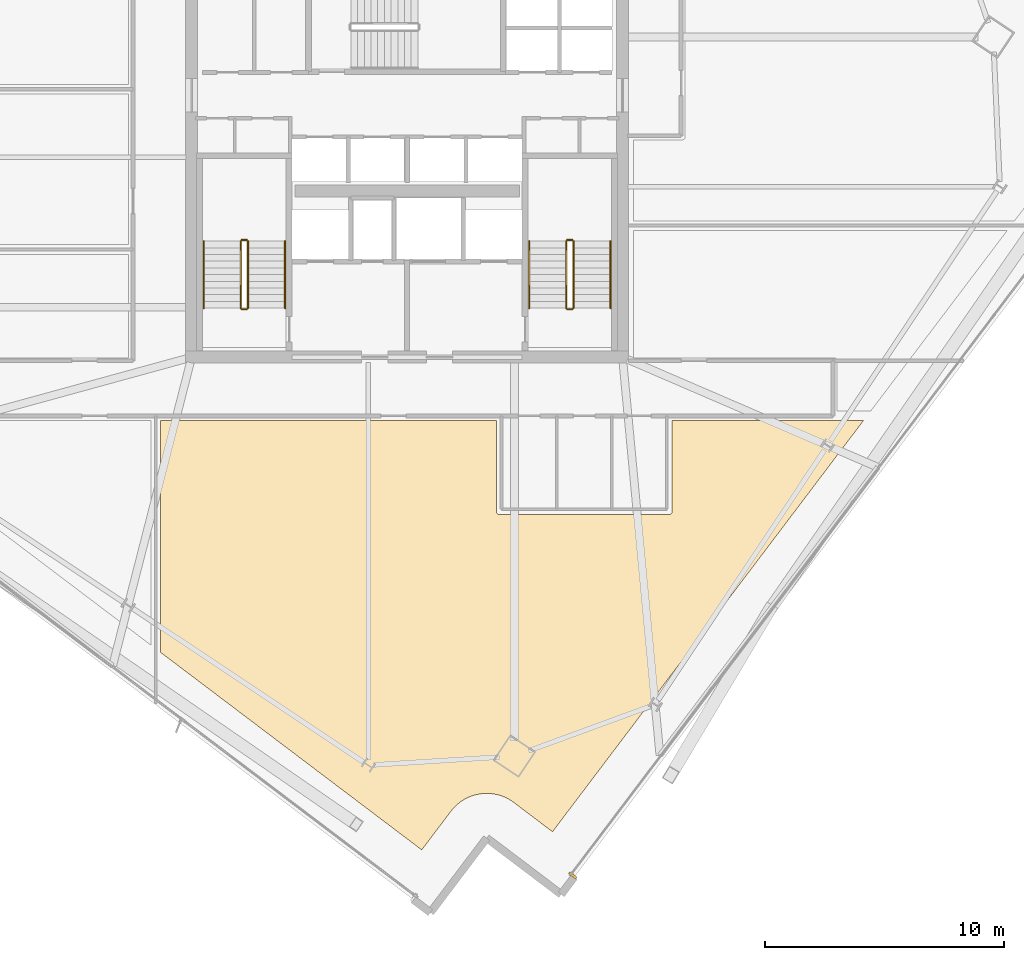
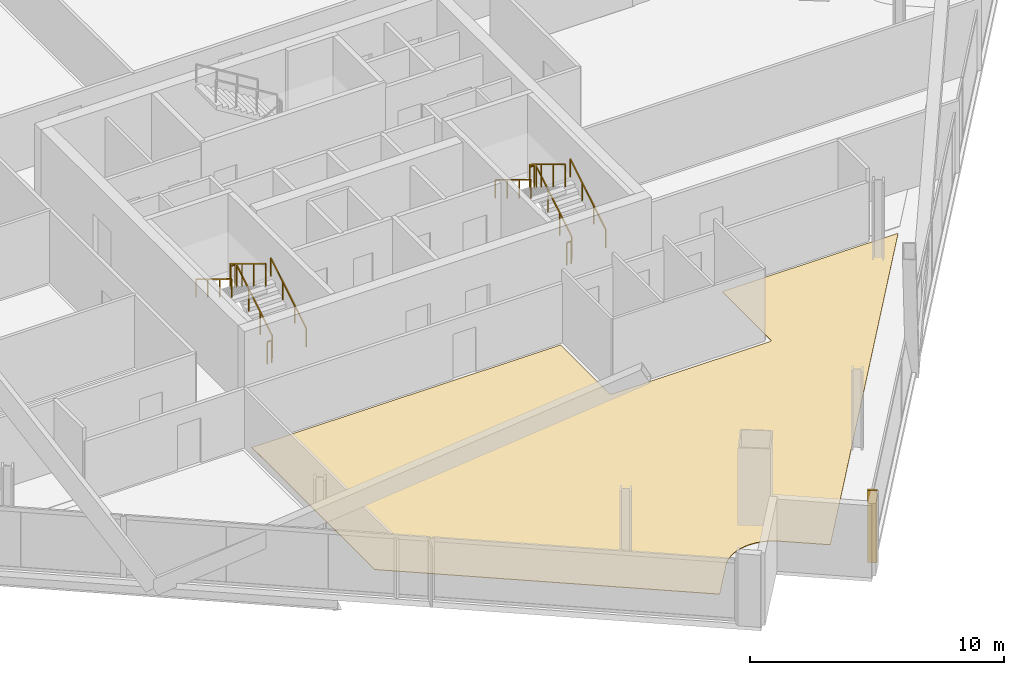
# One storey, part 31 of 34: 12 railings, 2 coverings.
"""IFC4 building model written with IfcOpenShell, lengths in metres."""

from ifc_helpers import new_model, si_unit, direction, frame, origin, origin_2d, place, context, subcontext, project, spatial, polyline, rectangle, outline, extrude, source, transform, mapped, material, layer, layer_set, type_object, element, save


model = new_model("IFC4")

# Units and contexts
model_context = context("Model", 3, precision=1e-05, world=origin(), true_north=direction((0.0, 1.0)))
body_context = subcontext(model_context, "Body", "Model", "MODEL_VIEW")
ifc_project = project(units=[si_unit("LENGTHUNIT", "METRE"), si_unit("AREAUNIT", "SQUARE_METRE"), si_unit("VOLUMEUNIT", "CUBIC_METRE"), si_unit("PLANEANGLEUNIT", "RADIAN"), si_unit("MASSUNIT", "GRAM", prefix="KILO")], contexts=[model_context])

# Site, building, storey
site_placement = place(None, origin())
site = spatial("IfcSite", under=ifc_project, at=site_placement, CompositionType="ELEMENT")
building_placement = place(site_placement, origin())
building = spatial("IfcBuilding", under=site, at=building_placement, Name="Haldenkirk Collegiate Tower", CompositionType="ELEMENT")
storey_placement = place(building_placement, frame((0.0, 0.0, 205.949951171875)))
storey = spatial("IfcBuildingStorey", under=building, at=storey_placement, Name="L51", CompositionType="ELEMENT", Elevation=205.949951171875)

# Covering
ifc_material_1 = material(Name="Polished collegiate terrazzo", Category="concrete")
ifc_layer_1 = layer(ifc_material_1, 0.02490234375)
ifc_layer_set_1 = layer_set([ifc_layer_1], Name="Polished collegiate terrazzo")
covering_type_1 = type_object("IfcCoveringType", Name="COV-FLOOR-TERRAZZO", PredefinedType="FLOORING", material=ifc_layer_set_1)
covering_1_placement = place(storey_placement, origin())
element("IfcCovering", 1, at=covering_1_placement, inside=storey, type_object=covering_type_1, Name="L51 academic room finish 02", PredefinedType="FLOORING", context=body_context, shape_type="SweptSolid", body=[
    extrude(outline(polyline([(39.80419921875, -0.28564453125), (39.792724609375, -0.28271484375), (39.624755859375, -0.24755859375), (39.613037109375, -0.24560546875), (39.4423828125, -0.227294921875), (39.4306640625, -0.2265625), (39.2587890625, -0.22509765625), (39.2470703125, -0.2255859375), (39.076171875, -0.24072265625), (39.064453125, -0.2421875), (38.8955078125, -0.274169921875), (38.884033203125, -0.27685546875), (38.71923828125, -0.3251953125), (38.708251953125, -0.3291015625), (38.548828125, -0.393310546875), (38.5380859375, -0.398193359375), (38.385986328125, -0.477783203125), (38.3759765625, -0.48388671875), (38.232177734375, -0.577880859375), (38.22265625, -0.584716796875), (38.0888671875, -0.6923828125), (38.080078125, -0.7001953125), (37.95751953125, -0.820556640625), (37.94970703125, -0.829345703125), (37.83935546875, -0.9609375), (37.835693359375, -0.965576171875), (36.611083984375, -2.584716796875), (25.699951171875, 5.66748046875), (25.699951171875, 15.35009765625), (39.72998046875, 15.35009765625), (39.72998046875, 11.550048828125), (39.730712890625, 11.5380859375), (39.732421875, 11.526611328125), (39.735107421875, 11.51513671875), (39.739013671875, 11.504150390625), (39.744140625, 11.493408203125), (39.750244140625, 11.4833984375), (39.757080078125, 11.473876953125), (39.76513671875, 11.465087890625), (39.77392578125, 11.457275390625), (39.783203125, 11.4501953125), (39.79345703125, 11.444091796875), (39.80419921875, 11.439208984375), (39.815185546875, 11.435302734375), (39.82666015625, 11.432373046875), (39.838134765625, 11.4306640625), (39.85009765625, 11.429931640625), (46.949951171875, 11.429931640625), (46.9619140625, 11.4306640625), (46.973388671875, 11.432373046875), (46.98486328125, 11.435302734375), (46.995849609375, 11.439208984375), (47.006591796875, 11.444091796875), (47.0166015625, 11.4501953125), (47.026123046875, 11.457275390625), (47.034912109375, 11.465087890625), (47.042724609375, 11.473876953125), (47.0498046875, 11.4833984375), (47.055908203125, 11.493408203125), (47.060791015625, 11.504150390625), (47.064697265625, 11.51513671875), (47.067626953125, 11.526611328125), (47.0693359375, 11.5380859375), (47.070068359375, 11.550048828125), (47.070068359375, 15.35009765625), (55.06494140625, 15.35009765625), (42.07421875, -1.82666015625), (40.455078125, -0.60205078125), (40.450439453125, -0.5986328125), (40.30859375, -0.501953125), (40.298583984375, -0.495849609375), (40.147705078125, -0.413330078125), (40.13720703125, -0.408203125), (39.979248046875, -0.341064453125), (39.968017578125, -0.3369140625), (39.80419921875, -0.28564453125)])), origin(), (0.0, 0.0, 1.0), 0.025146484375),
])

# Railings
ifc_material_2 = material(Name="Painted architectural tubular steel", Category="steel")
railing_type_1 = type_object("IfcRailingType", Name="RLG-STAIR-GUARD-1100", PredefinedType="BALUSTRADE", material=ifc_material_2)
railing_1_placement = place(storey_placement, frame((29.35009765625, 20.050048828125, 0.17041015625)))
element("IfcRailing", 2, at=railing_1_placement, inside=storey, type_object=railing_type_1, Name="L51 ST-1 stair guard 1", PredefinedType="BALUSTRADE", context=body_context, shape_type="SweptSolid", body=[
    extrude(rectangle(XDim=0.048095703125, YDim=0.048095703125, at=origin_2d()), frame((0.0, 0.0, 1.076171875), z_axis=(0.0, 0.854169791009, 0.51999420009), x_axis=(-1.0, 0.0, 0.0)), (0.0, 0.0, 1.0), 3.278076171875),
    extrude(rectangle(XDim=0.0419921875, YDim=0.0419921875, at=origin_2d()), origin(), (0.0, 0.0, 1.0), 1.052001953125),
    extrude(rectangle(XDim=0.0419921875, YDim=0.0419921875, at=origin_2d()), frame((0.0, 0.933349609375, 0.568115234375)), (0.0, 0.0, 1.0), 1.052001953125),
    extrude(rectangle(XDim=0.0419921875, YDim=0.0419921875, at=origin_2d()), frame((0.0, 1.86669921875, 1.136474609375)), (0.0, 0.0, 1.0), 1.052001953125),
    extrude(rectangle(XDim=0.0419921875, YDim=0.0419921875, at=origin_2d()), frame((0.0, 2.800048828125, 1.70458984375)), (0.0, 0.0, 1.0), 1.052001953125),
])
railing_2_placement = place(storey_placement, frame((29.300048828125, 22.89990234375, 1.875)))
element("IfcRailing", 3, at=railing_2_placement, inside=storey, type_object=railing_type_1, Name="L51 ST-1 stair guard 2", PredefinedType="BALUSTRADE", context=body_context, shape_type="SweptSolid", body=[
    extrude(rectangle(XDim=0.048095703125, YDim=0.048095703125, at=origin_2d()), frame((0.0, 0.0, 1.076171875), z_axis=(-1.0, 0.0, 0.0), x_axis=(0.0, -1.0, 0.0)), (0.0, 0.0, 1.0), 0.199951171875),
    extrude(rectangle(XDim=0.0419921875, YDim=0.0419921875, at=origin_2d()), origin(), (0.0, 0.0, 1.0), 1.052001953125),
    extrude(rectangle(XDim=0.0419921875, YDim=0.0419921875, at=origin_2d()), frame((-0.199951171875, 0.0, 0.0)), (0.0, 0.0, 1.0), 1.052001953125),
])
railing_3_placement = place(storey_placement, frame((29.050048828125, 22.85009765625, 2.04541015625)))
element("IfcRailing", 4, at=railing_3_placement, inside=storey, type_object=railing_type_1, Name="L51 ST-1 stair guard 3", PredefinedType="BALUSTRADE", context=body_context, shape_type="SweptSolid", body=[
    extrude(rectangle(XDim=0.048095703125, YDim=0.048095703125, at=origin_2d()), frame((0.0, 0.0, 1.076171875), z_axis=(0.0, -0.854169791009, 0.51999420009), x_axis=(1.0, 0.0, 0.0)), (0.0, 0.0, 1.0), 3.278076171875),
    extrude(rectangle(XDim=0.0419921875, YDim=0.0419921875, at=origin_2d()), origin(), (0.0, 0.0, 1.0), 1.052001953125),
    extrude(rectangle(XDim=0.0419921875, YDim=0.0419921875, at=origin_2d()), frame((0.0, -0.933349609375, 0.568115234375)), (0.0, 0.0, 1.0), 1.052001953125),
    extrude(rectangle(XDim=0.0419921875, YDim=0.0419921875, at=origin_2d()), frame((0.0, -1.86669921875, 1.136474609375)), (0.0, 0.0, 1.0), 1.052001953125),
    extrude(rectangle(XDim=0.0419921875, YDim=0.0419921875, at=origin_2d()), frame((0.0, -2.800048828125, 1.70458984375)), (0.0, 0.0, 1.0), 1.052001953125),
])
railing_4_placement = place(storey_placement, frame((29.300048828125, 20.0, 0.0)))
element("IfcRailing", 5, at=railing_4_placement, inside=storey, type_object=railing_type_1, Name="L51 ST-1 stair guard 4", PredefinedType="BALUSTRADE", context=body_context, shape_type="SweptSolid", body=[
    extrude(rectangle(XDim=0.048095703125, YDim=0.048095703125, at=origin_2d()), frame((0.0, 0.0, 1.076171875), z_axis=(-1.0, 0.0, 0.0), x_axis=(0.0, -1.0, 0.0)), (0.0, 0.0, 1.0), 0.199951171875),
    extrude(rectangle(XDim=0.0419921875, YDim=0.0419921875, at=origin_2d()), origin(), (0.0, 0.0, 1.0), 1.052001953125),
    extrude(rectangle(XDim=0.0419921875, YDim=0.0419921875, at=origin_2d()), frame((-0.199951171875, 0.0, 0.0)), (0.0, 0.0, 1.0), 1.052001953125),
])
railing_5_placement = place(storey_placement, frame((42.949951171875, 20.050048828125, 0.17041015625)))
element("IfcRailing", 6, at=railing_5_placement, inside=storey, type_object=railing_type_1, Name="L51 ST-2 stair guard 1", PredefinedType="BALUSTRADE", context=body_context, shape_type="SweptSolid", body=[
    extrude(rectangle(XDim=0.048095703125, YDim=0.048095703125, at=origin_2d()), frame((0.0, 0.0, 1.076171875), z_axis=(0.0, 0.854169791009, 0.51999420009), x_axis=(-1.0, 0.0, 0.0)), (0.0, 0.0, 1.0), 3.278076171875),
    extrude(rectangle(XDim=0.0419921875, YDim=0.0419921875, at=origin_2d()), origin(), (0.0, 0.0, 1.0), 1.052001953125),
    extrude(rectangle(XDim=0.0419921875, YDim=0.0419921875, at=origin_2d()), frame((0.0, 0.933349609375, 0.568115234375)), (0.0, 0.0, 1.0), 1.052001953125),
    extrude(rectangle(XDim=0.0419921875, YDim=0.0419921875, at=origin_2d()), frame((0.0, 1.86669921875, 1.136474609375)), (0.0, 0.0, 1.0), 1.052001953125),
    extrude(rectangle(XDim=0.0419921875, YDim=0.0419921875, at=origin_2d()), frame((0.0, 2.800048828125, 1.70458984375)), (0.0, 0.0, 1.0), 1.052001953125),
])
railing_6_placement = place(storey_placement, frame((42.89990234375, 22.89990234375, 1.875)))
element("IfcRailing", 7, at=railing_6_placement, inside=storey, type_object=railing_type_1, Name="L51 ST-2 stair guard 2", PredefinedType="BALUSTRADE", context=body_context, shape_type="SweptSolid", body=[
    extrude(rectangle(XDim=0.048095703125, YDim=0.048095703125, at=origin_2d()), frame((0.0, 0.0, 1.076171875), z_axis=(-1.0, 0.0, 0.0), x_axis=(0.0, -1.0, 0.0)), (0.0, 0.0, 1.0), 0.199951171875),
    extrude(rectangle(XDim=0.0419921875, YDim=0.0419921875, at=origin_2d()), origin(), (0.0, 0.0, 1.0), 1.052001953125),
    extrude(rectangle(XDim=0.0419921875, YDim=0.0419921875, at=origin_2d()), frame((-0.199951171875, 0.0, 0.0)), (0.0, 0.0, 1.0), 1.052001953125),
])
railing_7_placement = place(storey_placement, frame((42.64990234375, 22.85009765625, 2.04541015625)))
element("IfcRailing", 8, at=railing_7_placement, inside=storey, type_object=railing_type_1, Name="L51 ST-2 stair guard 3", PredefinedType="BALUSTRADE", context=body_context, shape_type="SweptSolid", body=[
    extrude(rectangle(XDim=0.048095703125, YDim=0.048095703125, at=origin_2d()), frame((0.0, 0.0, 1.076171875), z_axis=(0.0, -0.854169791009, 0.51999420009), x_axis=(1.0, 0.0, 0.0)), (0.0, 0.0, 1.0), 3.278076171875),
    extrude(rectangle(XDim=0.0419921875, YDim=0.0419921875, at=origin_2d()), origin(), (0.0, 0.0, 1.0), 1.052001953125),
    extrude(rectangle(XDim=0.0419921875, YDim=0.0419921875, at=origin_2d()), frame((0.0, -0.933349609375, 0.568115234375)), (0.0, 0.0, 1.0), 1.052001953125),
    extrude(rectangle(XDim=0.0419921875, YDim=0.0419921875, at=origin_2d()), frame((0.0, -1.86669921875, 1.136474609375)), (0.0, 0.0, 1.0), 1.052001953125),
    extrude(rectangle(XDim=0.0419921875, YDim=0.0419921875, at=origin_2d()), frame((0.0, -2.800048828125, 1.70458984375)), (0.0, 0.0, 1.0), 1.052001953125),
])
railing_8_placement = place(storey_placement, frame((42.89990234375, 20.0, 0.0)))
element("IfcRailing", 9, at=railing_8_placement, inside=storey, type_object=railing_type_1, Name="L51 ST-2 stair guard 4", PredefinedType="BALUSTRADE", context=body_context, shape_type="SweptSolid", body=[
    extrude(rectangle(XDim=0.048095703125, YDim=0.048095703125, at=origin_2d()), frame((0.0, 0.0, 1.076171875), z_axis=(-1.0, 0.0, 0.0), x_axis=(0.0, -1.0, 0.0)), (0.0, 0.0, 1.0), 0.199951171875),
    extrude(rectangle(XDim=0.0419921875, YDim=0.0419921875, at=origin_2d()), origin(), (0.0, 0.0, 1.0), 1.052001953125),
    extrude(rectangle(XDim=0.0419921875, YDim=0.0419921875, at=origin_2d()), frame((-0.199951171875, 0.0, 0.0)), (0.0, 0.0, 1.0), 1.052001953125),
])
railing_type_2 = type_object("IfcRailingType", Name="RLG-STAIR-HANDRAIL-900", PredefinedType="HANDRAIL", material=ifc_material_2)
railing_9_placement = place(storey_placement, frame((30.89990234375, 20.050048828125, 0.17041015625)))
element("IfcRailing", 10, at=railing_9_placement, inside=storey, type_object=railing_type_2, Name="L51 ST-1 stair handrail 1", PredefinedType="HANDRAIL", context=body_context, shape_type="SweptSolid", body=[
    extrude(rectangle(XDim=0.048095703125, YDim=0.048095703125, at=origin_2d()), frame((0.0, 0.0, 0.8759765625), z_axis=(0.0, 0.854169791009, 0.51999420009), x_axis=(-1.0, 0.0, 0.0)), (0.0, 0.0, 1.0), 3.278076171875),
    extrude(rectangle(XDim=0.0419921875, YDim=0.0419921875, at=origin_2d()), origin(), (0.0, 0.0, 1.0), 0.851806640625),
    extrude(rectangle(XDim=0.0419921875, YDim=0.0419921875, at=origin_2d()), frame((0.0, 0.933349609375, 0.568115234375)), (0.0, 0.0, 1.0), 0.851806640625),
    extrude(rectangle(XDim=0.0419921875, YDim=0.0419921875, at=origin_2d()), frame((0.0, 1.86669921875, 1.136474609375)), (0.0, 0.0, 1.0), 0.851806640625),
    extrude(rectangle(XDim=0.0419921875, YDim=0.0419921875, at=origin_2d()), frame((0.0, 2.800048828125, 1.70458984375)), (0.0, 0.0, 1.0), 0.851806640625),
])
railing_10_placement = place(storey_placement, frame((27.5, 22.85009765625, 2.04541015625)))
element("IfcRailing", 11, at=railing_10_placement, inside=storey, type_object=railing_type_2, Name="L51 ST-1 stair handrail 2", PredefinedType="HANDRAIL", context=body_context, shape_type="SweptSolid", body=[
    extrude(rectangle(XDim=0.048095703125, YDim=0.048095703125, at=origin_2d()), frame((0.0, 0.0, 0.8759765625), z_axis=(0.0, -0.854169791009, 0.51999420009), x_axis=(1.0, 0.0, 0.0)), (0.0, 0.0, 1.0), 3.278076171875),
    extrude(rectangle(XDim=0.0419921875, YDim=0.0419921875, at=origin_2d()), origin(), (0.0, 0.0, 1.0), 0.851806640625),
    extrude(rectangle(XDim=0.0419921875, YDim=0.0419921875, at=origin_2d()), frame((0.0, -0.933349609375, 0.568115234375)), (0.0, 0.0, 1.0), 0.851806640625),
    extrude(rectangle(XDim=0.0419921875, YDim=0.0419921875, at=origin_2d()), frame((0.0, -1.86669921875, 1.136474609375)), (0.0, 0.0, 1.0), 0.851806640625),
    extrude(rectangle(XDim=0.0419921875, YDim=0.0419921875, at=origin_2d()), frame((0.0, -2.800048828125, 1.70458984375)), (0.0, 0.0, 1.0), 0.851806640625),
])
railing_11_placement = place(storey_placement, frame((44.5, 20.050048828125, 0.17041015625)))
element("IfcRailing", 12, at=railing_11_placement, inside=storey, type_object=railing_type_2, Name="L51 ST-2 stair handrail 1", PredefinedType="HANDRAIL", context=body_context, shape_type="SweptSolid", body=[
    extrude(rectangle(XDim=0.048095703125, YDim=0.048095703125, at=origin_2d()), frame((0.0, 0.0, 0.8759765625), z_axis=(0.0, 0.854169791009, 0.51999420009), x_axis=(-1.0, 0.0, 0.0)), (0.0, 0.0, 1.0), 3.278076171875),
    extrude(rectangle(XDim=0.0419921875, YDim=0.0419921875, at=origin_2d()), origin(), (0.0, 0.0, 1.0), 0.851806640625),
    extrude(rectangle(XDim=0.0419921875, YDim=0.0419921875, at=origin_2d()), frame((0.0, 0.933349609375, 0.568115234375)), (0.0, 0.0, 1.0), 0.851806640625),
    extrude(rectangle(XDim=0.0419921875, YDim=0.0419921875, at=origin_2d()), frame((0.0, 1.86669921875, 1.136474609375)), (0.0, 0.0, 1.0), 0.851806640625),
    extrude(rectangle(XDim=0.0419921875, YDim=0.0419921875, at=origin_2d()), frame((0.0, 2.800048828125, 1.70458984375)), (0.0, 0.0, 1.0), 0.851806640625),
])
railing_12_placement = place(storey_placement, frame((41.10009765625, 22.85009765625, 2.04541015625)))
element("IfcRailing", 13, at=railing_12_placement, inside=storey, type_object=railing_type_2, Name="L51 ST-2 stair handrail 2", PredefinedType="HANDRAIL", context=body_context, shape_type="SweptSolid", body=[
    extrude(rectangle(XDim=0.048095703125, YDim=0.048095703125, at=origin_2d()), frame((0.0, 0.0, 0.8759765625), z_axis=(0.0, -0.854169791009, 0.51999420009), x_axis=(1.0, 0.0, 0.0)), (0.0, 0.0, 1.0), 3.278076171875),
    extrude(rectangle(XDim=0.0419921875, YDim=0.0419921875, at=origin_2d()), origin(), (0.0, 0.0, 1.0), 0.851806640625),
    extrude(rectangle(XDim=0.0419921875, YDim=0.0419921875, at=origin_2d()), frame((0.0, -0.933349609375, 0.568115234375)), (0.0, 0.0, 1.0), 0.851806640625),
    extrude(rectangle(XDim=0.0419921875, YDim=0.0419921875, at=origin_2d()), frame((0.0, -1.86669921875, 1.136474609375)), (0.0, 0.0, 1.0), 0.851806640625),
    extrude(rectangle(XDim=0.0419921875, YDim=0.0419921875, at=origin_2d()), frame((0.0, -2.800048828125, 1.70458984375)), (0.0, 0.0, 1.0), 0.851806640625),
])

# Covering
ifc_material_3 = material(Name="Anodised architectural bronze aluminium", Category="aluminium")
ifc_layer_2 = layer(ifc_material_3, 0.06005859375)
ifc_layer_set_2 = layer_set([ifc_layer_2], Name="Anodised architectural bronze aluminium")
covering_type_2 = type_object("IfcCoveringType", Name="COV-CLAD-BRONZE-60", PredefinedType="CLADDING", material=ifc_layer_set_2)
shared_shape = source(origin(), body_context, "Body", "SweptSolid", [
    extrude(rectangle(XDim=0.10009765625, YDim=0.3798828125, at=origin_2d()), origin(), (0.0, 0.0, 1.0), 3.469970703125),
])
covering_2_placement = place(storey_placement, frame((42.927001953125, -3.650146484375, 0.0), z_axis=(0.0, 0.0, 1.0), x_axis=(-0.603207987745, -0.797583928825, 0.0)))
element("IfcCovering", 14, at=covering_2_placement, inside=storey, type_object=covering_type_2, Name="L51 recessed curtain-wall bronze jamb closure SJR", PredefinedType="CLADDING", context=body_context, shape_type="MappedRepresentation", body=[
    mapped(shared_shape, transform((0.0, 0.0, 0.0), x_axis=(1.0, 0.0, 0.0), y_axis=(0.0, 1.0, 0.0), z_axis=(0.0, 0.0, 1.0), scale=1.0)),
])

save(model, "model.ifc")
